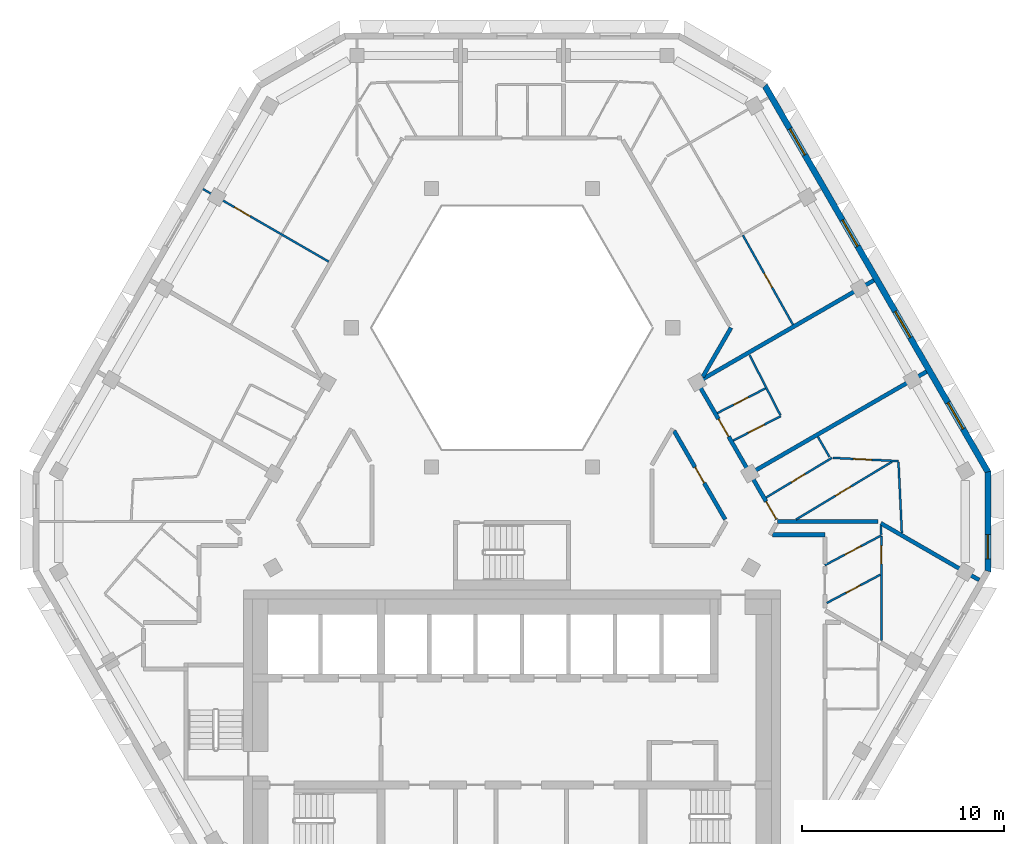
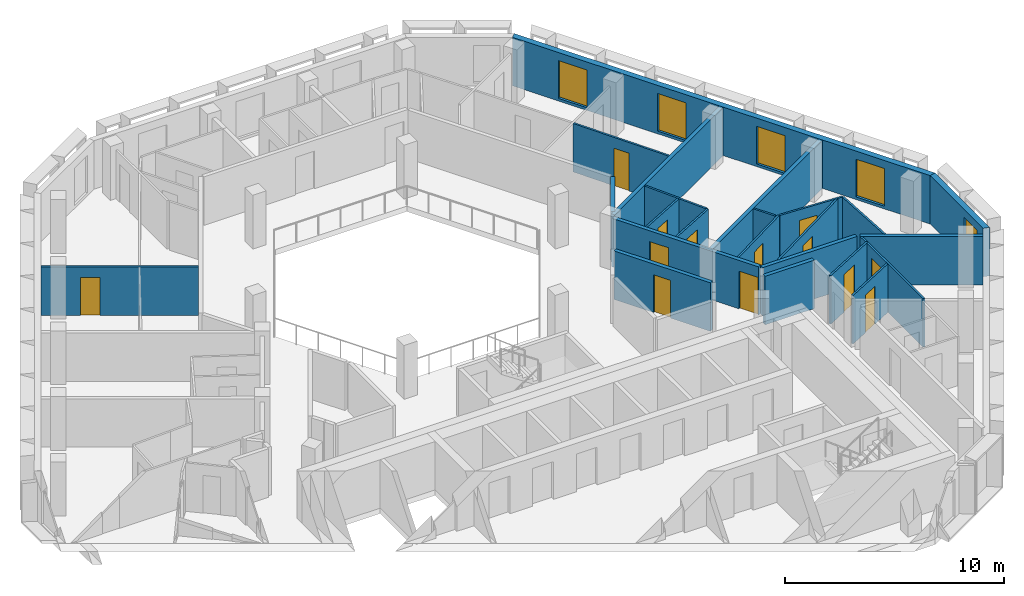
# One storey, part 6 of 15: 24 walls, 13 doors, 5 windows, 18 openings.
"""IFC4 building model written with IfcOpenShell, lengths in metres."""

from ifc_helpers import new_model, si_unit, direction, frame, frame_2d, origin, place, context, subcontext, project, spatial, polyline, rectangle, outline, extrude, material, layer, layer_set, type_object, element, fill, save


model = new_model("IFC4")

# Units and contexts
model_context = context("Model", 3, precision=1e-05, world=origin(), true_north=direction((0.0, 1.0)))
body_context = subcontext(model_context, "Body", "Model", "MODEL_VIEW")
ifc_project = project(units=[si_unit("LENGTHUNIT", "METRE"), si_unit("AREAUNIT", "SQUARE_METRE"), si_unit("VOLUMEUNIT", "CUBIC_METRE"), si_unit("PLANEANGLEUNIT", "RADIAN"), si_unit("MASSUNIT", "GRAM", prefix="KILO")], contexts=[model_context])

# Site, building, storey
site_placement = place(None, origin())
site = spatial("IfcSite", under=ifc_project, at=site_placement, CompositionType="ELEMENT")
building_placement = place(site_placement, origin())
building = spatial("IfcBuilding", under=site, at=building_placement, Name="Beryl Residences", CompositionType="ELEMENT")
storey_placement = place(building_placement, frame((0.0, 0.0, 217.800048828125)))
storey = spatial("IfcBuildingStorey", under=building, at=storey_placement, Name="L67", CompositionType="ELEMENT", Elevation=217.800048828125)

# Wall, opening, window
ifc_material_1 = material(Name="Composite metal panel with mineral wool insulation")
ifc_layer_1 = layer(ifc_material_1, 0.300048828125)
ifc_layer_set_1 = layer_set([ifc_layer_1], Name="ES1 pale metal composite panel wall 300 mm")
wall_type_1 = type_object("IfcWallType", Name="ES1 pale metal composite panel wall 300 mm", PredefinedType="SOLIDWALL", material=ifc_layer_set_1)
wall_1_placement = place(storey_placement, frame((23.5791015625, -4.10009765625, 0.0), z_axis=(0.0, 0.0, 1.0), x_axis=(0.0, 1.0, 0.0)))
wall_1 = element("IfcWall", 1, at=wall_1_placement, inside=storey, type_object=wall_type_1, Name="ES1 external wall L67 SE-NE", PredefinedType="SOLIDWALL", context=body_context, shape_type="SweptSolid", body=[
    extrude(outline(polyline([(0.0, -0.14990234375), (5.0, -0.14990234375), (4.919677734375, 0.14990234375), (0.080322265625, 0.14990234375), (0.0, -0.14990234375)])), origin(), (0.0, 0.0, 1.0), 2.699951171875),
])
opening_1_placement = place(wall_1_placement, frame((0.64990234375, 0.0, 0.14990234375)))
opening_1 = element("IfcOpeningElement", 2, at=opening_1_placement, cuts=wall_1, Name="Opening W2", PredefinedType="OPENING", context=body_context, shape_type="SweptSolid", body=[
    extrude(rectangle(XDim=1.199951171875, YDim=2.10009765625, at=frame_2d((0.60009765625, 1.050048828125))), frame((0.0, 0.159912109375, 0.0), z_axis=(0.0, -1.0, 0.0), x_axis=(1.0, 0.0, 0.0)), (0.0, 0.0, 1.0), 0.320068359375),
])
ifc_material_2 = material(Name="Aluminium and clear glass", Category="aluminium")
window_type_1 = type_object("IfcWindowType", Name="W2 chamfer window 1200 x 2100 mm", PartitioningType="SINGLE_PANEL", PredefinedType="WINDOW", material=ifc_material_2)
window_1_placement = place(opening_1_placement, origin())
window_1 = element("IfcWindow", 3, at=window_1_placement, inside=storey, type_object=window_type_1, Name="W2 window L67 SE-NE 1", OverallHeight=2.10009765625, OverallWidth=1.199951171875, PartitioningType="SINGLE_PANEL", PredefinedType="WINDOW", context=body_context, shape_type="SweptSolid", body=[
    extrude(rectangle(XDim=1.199951171875, YDim=2.10009765625, at=frame_2d((0.60009765625, 1.050048828125))), frame((0.0, 0.030029296875, 0.0), z_axis=(0.0, -1.0, 0.0), x_axis=(1.0, 0.0, 0.0)), (0.0, 0.0, 1.0), 0.06005859375),
])
fill(opening_1, window_1)

# Wall, openings, windows
wall_2_placement = place(storey_placement, frame((23.59912109375, 0.824951171875, 0.0), z_axis=(0.0, 0.0, 1.0), x_axis=(-0.500003656944, 0.866023292436, 0.0)))
wall_2 = element("IfcWall", 4, at=wall_2_placement, inside=storey, type_object=wall_type_1, Name="ES1 external wall L67 NE", PredefinedType="SOLIDWALL", context=body_context, shape_type="SweptSolid", body=[
    extrude(outline(polyline([(0.0, -0.14990234375), (22.170166015625, -0.14990234375), (22.08984375, 0.14990234375), (0.080322265625, 0.14990234375), (0.0, -0.14990234375)])), origin(), (0.0, 0.0, 1.0), 2.699951171875),
])
opening_2_placement = place(wall_2_placement, frame((2.4970703125, 0.0, 0.14990234375)))
opening_2 = element("IfcOpeningElement", 5, at=opening_2_placement, cuts=wall_2, Name="Opening W1", PredefinedType="OPENING", context=body_context, shape_type="SweptSolid", body=[
    extrude(rectangle(XDim=1.5, YDim=2.10009765625, at=frame_2d((0.75, 1.050048828125))), frame((0.0, 0.159912109375, 0.0), z_axis=(0.0, -1.0, 0.0), x_axis=(1.0, 0.0, 0.0)), (0.0, 0.0, 1.0), 0.320068359375),
])
opening_3_placement = place(wall_2_placement, frame((7.722900390625, 0.0, 0.14990234375)))
opening_3 = element("IfcOpeningElement", 6, at=opening_3_placement, cuts=wall_2, Name="Opening W1", PredefinedType="OPENING", context=body_context, shape_type="SweptSolid", body=[
    extrude(rectangle(XDim=1.5, YDim=2.10009765625, at=frame_2d((0.75, 1.050048828125))), frame((0.0, 0.159912109375, 0.0), z_axis=(0.0, -1.0, 0.0), x_axis=(1.0, 0.0, 0.0)), (0.0, 0.0, 1.0), 0.320068359375),
])
opening_4_placement = place(wall_2_placement, frame((12.947998046875, 0.0, 0.14990234375)))
opening_4 = element("IfcOpeningElement", 7, at=opening_4_placement, cuts=wall_2, Name="Opening W1", PredefinedType="OPENING", context=body_context, shape_type="SweptSolid", body=[
    extrude(rectangle(XDim=1.5, YDim=2.10009765625, at=frame_2d((0.75, 1.050048828125))), frame((0.0, 0.159912109375, 0.0), z_axis=(0.0, -1.0, 0.0), x_axis=(1.0, 0.0, 0.0)), (0.0, 0.0, 1.0), 0.320068359375),
])
opening_5_placement = place(wall_2_placement, frame((18.173095703125, 0.0, 0.14990234375)))
opening_5 = element("IfcOpeningElement", 8, at=opening_5_placement, cuts=wall_2, Name="Opening W1", PredefinedType="OPENING", context=body_context, shape_type="SweptSolid", body=[
    extrude(rectangle(XDim=1.5, YDim=2.10009765625, at=frame_2d((0.75, 1.050048828125))), frame((0.0, 0.159912109375, 0.0), z_axis=(0.0, -1.0, 0.0), x_axis=(1.0, 0.0, 0.0)), (0.0, 0.0, 1.0), 0.320068359375),
])
ifc_material_3 = material(Name="Aluminium and clear glass", Category="aluminium")
window_type_2 = type_object("IfcWindowType", Name="W1 cell window 1500 x 2100 mm", PartitioningType="SINGLE_PANEL", PredefinedType="WINDOW", material=ifc_material_3)
window_2_placement = place(opening_2_placement, origin())
window_2 = element("IfcWindow", 9, at=window_2_placement, inside=storey, type_object=window_type_2, Name="W1 window L67 NE 2", OverallHeight=2.10009765625, OverallWidth=1.5, PartitioningType="SINGLE_PANEL", PredefinedType="WINDOW", context=body_context, shape_type="SweptSolid", body=[
    extrude(rectangle(XDim=1.5, YDim=2.10009765625, at=frame_2d((0.75, 1.050048828125))), frame((0.0, 0.030029296875, 0.0), z_axis=(0.0, -1.0, 0.0), x_axis=(1.0, 0.0, 0.0)), (0.0, 0.0, 1.0), 0.06005859375),
])
fill(opening_2, window_2)
window_3_placement = place(opening_3_placement, origin())
window_3 = element("IfcWindow", 10, at=window_3_placement, inside=storey, type_object=window_type_2, Name="W1 window L67 NE 4", OverallHeight=2.10009765625, OverallWidth=1.5, PartitioningType="SINGLE_PANEL", PredefinedType="WINDOW", context=body_context, shape_type="SweptSolid", body=[
    extrude(rectangle(XDim=1.5, YDim=2.10009765625, at=frame_2d((0.75, 1.050048828125))), frame((0.0, 0.030029296875, 0.0), z_axis=(0.0, -1.0, 0.0), x_axis=(1.0, 0.0, 0.0)), (0.0, 0.0, 1.0), 0.06005859375),
])
fill(opening_3, window_3)
window_4_placement = place(opening_4_placement, origin())
window_4 = element("IfcWindow", 11, at=window_4_placement, inside=storey, type_object=window_type_2, Name="W1 window L67 NE 6", OverallHeight=2.10009765625, OverallWidth=1.5, PartitioningType="SINGLE_PANEL", PredefinedType="WINDOW", context=body_context, shape_type="SweptSolid", body=[
    extrude(rectangle(XDim=1.5, YDim=2.10009765625, at=frame_2d((0.75, 1.050048828125))), frame((0.0, 0.030029296875, 0.0), z_axis=(0.0, -1.0, 0.0), x_axis=(1.0, 0.0, 0.0)), (0.0, 0.0, 1.0), 0.06005859375),
])
fill(opening_4, window_4)
window_5_placement = place(opening_5_placement, origin())
window_5 = element("IfcWindow", 12, at=window_5_placement, inside=storey, type_object=window_type_2, Name="W1 window L67 NE 8", OverallHeight=2.10009765625, OverallWidth=1.5, PartitioningType="SINGLE_PANEL", PredefinedType="WINDOW", context=body_context, shape_type="SweptSolid", body=[
    extrude(rectangle(XDim=1.5, YDim=2.10009765625, at=frame_2d((0.75, 1.050048828125))), frame((0.0, 0.030029296875, 0.0), z_axis=(0.0, -1.0, 0.0), x_axis=(1.0, 0.0, 0.0)), (0.0, 0.0, 1.0), 0.06005859375),
])
fill(opening_5, window_5)

# Wall
ifc_material_4 = material(Name="Gypsum board partition on steel studs", Category="steel")
ifc_layer_2 = layer(ifc_material_4, 0.10009765625)
ifc_layer_set_2 = layer_set([ifc_layer_2], Name="PT1 partition 100 mm gypsum board on steel studs")
wall_type_2 = type_object("IfcWallType", Name="PT1 partition 100 mm gypsum board on steel studs", PredefinedType="PARTITIONING", material=ifc_layer_set_2)
wall_3_placement = place(storey_placement, frame((15.154052734375, 2.60107421875, 0.0), z_axis=(0.0, 0.0, 1.0), x_axis=(0.499808046739, -0.866136199691, 0.0)))
element("IfcWall", 13, at=wall_3_placement, inside=storey, type_object=wall_type_2, Name="Wall PT1 L67 005", PredefinedType="PARTITIONING", context=body_context, shape_type="SweptSolid", body=[
    extrude(rectangle(XDim=1.15234375, YDim=0.10009765625, at=frame_2d((0.576171875, 0.0))), origin(), (0.0, 0.0, 1.0), 2.699951171875),
])

# Wall, opening, door
wall_4_placement = place(storey_placement, frame((11.44091796875, 12.58203125, 0.0), z_axis=(0.0, 0.0, 1.0), x_axis=(0.488568218554, -0.872525699231, 0.0)))
wall_4 = element("IfcWall", 14, at=wall_4_placement, inside=storey, type_object=wall_type_2, Name="Wall PT1 L67 008", PredefinedType="PARTITIONING", context=body_context, shape_type="SweptSolid", body=[
    extrude(rectangle(XDim=5.075927734375, YDim=0.10009765625, at=frame_2d((2.5380859375, 0.0))), origin(), (0.0, 0.0, 1.0), 2.699951171875),
])
opening_6_placement = place(wall_4_placement, frame((2.1630859375, 0.0, 0.0)))
opening_6 = element("IfcOpeningElement", 15, at=opening_6_placement, cuts=wall_4, Name="Opening D2108", PredefinedType="OPENING", context=body_context, shape_type="SweptSolid", body=[
    extrude(rectangle(XDim=0.800048828125, YDim=2.10009765625, at=frame_2d((0.39990234375, 1.050048828125))), frame((0.0, 0.06005859375, 0.0), z_axis=(0.0, -1.0, 0.0), x_axis=(1.0, 0.0, 0.0)), (0.0, 0.0, 1.0), 0.1201171875),
])
ifc_material_5 = material(Name="Timber door leaf", Category="wood")
door_type_1 = type_object("IfcDoorType", Name="D3 bathroom door 800 x 2100 mm", OperationType="SINGLE_SWING_LEFT", PredefinedType="DOOR", material=ifc_material_5)
door_1_placement = place(opening_6_placement, origin())
door_1 = element("IfcDoor", 16, at=door_1_placement, inside=storey, type_object=door_type_1, Name="Door D2108 L67 001", OperationType="SINGLE_SWING_RIGHT", OverallHeight=2.10009765625, OverallWidth=0.800048828125, PredefinedType="DOOR", context=body_context, shape_type="SweptSolid", body=[
    extrude(rectangle(XDim=0.800048828125, YDim=2.10009765625, at=frame_2d((0.39990234375, 1.050048828125))), frame((0.0, 0.02490234375, 0.0), z_axis=(0.0, -1.0, 0.0), x_axis=(1.0, 0.0, 0.0)), (0.0, 0.0, 1.0), 0.050048828125),
])
fill(opening_6, door_1)

# Walls
wall_5_placement = place(storey_placement, frame((11.77197265625, 6.64599609375, 0.0), z_axis=(0.0, 0.0, 1.0), x_axis=(0.456175983405, -0.889889584254, 0.0)))
element("IfcWall", 17, at=wall_5_placement, inside=storey, type_object=wall_type_2, Name="Wall PT1 L67 011", PredefinedType="PARTITIONING", context=body_context, shape_type="SweptSolid", body=[
    extrude(rectangle(XDim=3.34765625, YDim=0.10009765625, at=frame_2d((1.673828125, 0.0))), origin(), (0.0, 0.0, 1.0), 2.699951171875),
])
wall_6_placement = place(storey_placement, frame((18.280029296875, -1.803955078125, 0.0), z_axis=(0.0, 0.0, 1.0), x_axis=(0.039839036731, -0.999206110446, 0.0)))
element("IfcWall", 18, at=wall_6_placement, inside=storey, type_object=wall_type_2, Name="Wall PT1 L67 012", PredefinedType="PARTITIONING", context=body_context, shape_type="SweptSolid", body=[
    extrude(rectangle(XDim=0.453369140625, YDim=0.10009765625, at=frame_2d((0.2265625, 0.0))), origin(), (0.0, 0.0, 1.0), 2.699951171875),
])
wall_7_placement = place(storey_placement, frame((19.15087890625, 1.343017578125, 0.0), z_axis=(0.0, 0.0, 1.0), x_axis=(0.047509130714, -0.998870803707, 0.0)))
element("IfcWall", 19, at=wall_7_placement, inside=storey, type_object=wall_type_2, Name="Wall PT1 L67 013", PredefinedType="PARTITIONING", context=body_context, shape_type="SweptSolid", body=[
    extrude(rectangle(XDim=3.52001953125, YDim=0.10009765625, at=frame_2d((1.760009765625, 0.0))), origin(), (0.0, 0.0, 1.0), 2.699951171875),
])

# Wall, opening, door
wall_8_placement = place(storey_placement, frame((15.908935546875, 1.552001953125, 0.0), z_axis=(0.0, 0.0, 1.0), x_axis=(0.998799003463, -0.048995414909, 0.0)))
wall_8 = element("IfcWall", 20, at=wall_8_placement, inside=storey, type_object=wall_type_2, Name="Wall PT1 L67 017", PredefinedType="PARTITIONING", context=body_context, shape_type="SweptSolid", body=[
    extrude(rectangle(XDim=3.243896484375, YDim=0.10009765625, at=frame_2d((1.6220703125, 0.0))), origin(), (0.0, 0.0, 1.0), 2.699951171875),
])
opening_7_placement = place(wall_8_placement, frame((1.012939453125, 0.0, 0.0)))
opening_7 = element("IfcOpeningElement", 21, at=opening_7_placement, cuts=wall_8, Name="Opening D2140", PredefinedType="OPENING", context=body_context, shape_type="SweptSolid", body=[
    extrude(rectangle(XDim=0.89990234375, YDim=2.10009765625, at=frame_2d((0.449951171875, 1.050048828125))), frame((0.0, 0.06005859375, 0.0), z_axis=(0.0, -1.0, 0.0), x_axis=(1.0, 0.0, 0.0)), (0.0, 0.0, 1.0), 0.1201171875),
])
ifc_material_6 = material(Name="Timber door leaf", Category="wood")
door_type_2 = type_object("IfcDoorType", Name="D2 room door 900 x 2100 mm", OperationType="SINGLE_SWING_LEFT", PredefinedType="DOOR", material=ifc_material_6)
door_2_placement = place(opening_7_placement, origin())
door_2 = element("IfcDoor", 22, at=door_2_placement, inside=storey, type_object=door_type_2, Name="Door D2140 L67 001", OperationType="SINGLE_SWING_RIGHT", OverallHeight=2.10009765625, OverallWidth=0.89990234375, PredefinedType="DOOR", context=body_context, shape_type="SweptSolid", body=[
    extrude(rectangle(XDim=0.89990234375, YDim=2.10009765625, at=frame_2d((0.449951171875, 1.050048828125))), frame((0.0, 0.02490234375, 0.0), z_axis=(0.0, -1.0, 0.0), x_axis=(1.0, 0.0, 0.0)), (0.0, 0.0, 1.0), 0.050048828125),
])
fill(opening_7, door_2)

wall_9_placement = place(storey_placement, frame((-15.31396484375, 14.875, 0.0), z_axis=(0.0, 0.0, 1.0), x_axis=(0.866001485781, -0.500041424909, 0.0)))
wall_9 = element("IfcWall", 23, at=wall_9_placement, inside=storey, type_object=wall_type_2, Name="Wall PT1 L67 018", PredefinedType="PARTITIONING", context=body_context, shape_type="SweptSolid", body=[
    extrude(rectangle(XDim=7.19970703125, YDim=0.10009765625, at=frame_2d((3.599853515625, 0.0))), origin(), (0.0, 0.0, 1.0), 2.699951171875),
])
opening_8_placement = place(wall_9_placement, frame((1.800048828125, 0.0, 0.0)))
opening_8 = element("IfcOpeningElement", 24, at=opening_8_placement, cuts=wall_9, Name="Opening D2117", PredefinedType="OPENING", context=body_context, shape_type="SweptSolid", body=[
    extrude(rectangle(XDim=0.89990234375, YDim=2.10009765625, at=frame_2d((0.449951171875, 1.050048828125))), frame((0.0, 0.06005859375, 0.0), z_axis=(0.0, -1.0, 0.0), x_axis=(1.0, 0.0, 0.0)), (0.0, 0.0, 1.0), 0.1201171875),
])
door_3_placement = place(opening_8_placement, origin())
door_3 = element("IfcDoor", 25, at=door_3_placement, inside=storey, type_object=door_type_2, Name="Door D2117 L67 001", OperationType="SINGLE_SWING_LEFT", OverallHeight=2.10009765625, OverallWidth=0.89990234375, PredefinedType="DOOR", context=body_context, shape_type="SweptSolid", body=[
    extrude(rectangle(XDim=0.89990234375, YDim=2.10009765625, at=frame_2d((0.449951171875, 1.050048828125))), frame((0.0, 0.02490234375, 0.0), z_axis=(0.0, -1.0, 0.0), x_axis=(1.0, 0.0, 0.0)), (0.0, 0.0, 1.0), 0.050048828125),
])
fill(opening_8, door_3)

wall_10_placement = place(storey_placement, frame((18.300048828125, -7.49609375, 0.0), z_axis=(0.0, 0.0, 1.0), x_axis=(0.0, 1.0, 0.0)))
wall_10 = element("IfcWall", 26, at=wall_10_placement, inside=storey, type_object=wall_type_2, Name="Wall PT1 L67 038", PredefinedType="PARTITIONING", context=body_context, shape_type="SweptSolid", body=[
    extrude(rectangle(XDim=5.170166015625, YDim=0.10009765625, at=frame_2d((2.5849609375, 0.0))), origin(), (0.0, 0.0, 1.0), 2.699951171875),
])
opening_9_placement = place(wall_10_placement, frame((3.7939453125, 0.0, 0.0)))
opening_9 = element("IfcOpeningElement", 27, at=opening_9_placement, cuts=wall_10, Name="Opening D2136", PredefinedType="OPENING", context=body_context, shape_type="SweptSolid", body=[
    extrude(rectangle(XDim=0.89990234375, YDim=2.10009765625, at=frame_2d((0.449951171875, 1.050048828125))), frame((0.0, 0.06005859375, 0.0), z_axis=(0.0, -1.0, 0.0), x_axis=(1.0, 0.0, 0.0)), (0.0, 0.0, 1.0), 0.1201171875),
])
door_4_placement = place(opening_9_placement, origin())
door_4 = element("IfcDoor", 28, at=door_4_placement, inside=storey, type_object=door_type_2, Name="Door D2136 L67 001", OperationType="SINGLE_SWING_RIGHT", OverallHeight=2.10009765625, OverallWidth=0.89990234375, PredefinedType="DOOR", context=body_context, shape_type="SweptSolid", body=[
    extrude(rectangle(XDim=0.89990234375, YDim=2.10009765625, at=frame_2d((0.449951171875, 1.050048828125))), frame((0.0, 0.02490234375, 0.0), z_axis=(0.0, -1.0, 0.0), x_axis=(1.0, 0.0, 0.0)), (0.0, 0.0, 1.0), 0.050048828125),
])
fill(opening_9, door_4)

wall_11_placement = place(storey_placement, frame((10.177978515625, 3.77197265625, 0.0), z_axis=(0.0, 0.0, 1.0), x_axis=(0.889732071959, 0.456483121405, 0.0)))
wall_11 = element("IfcWall", 29, at=wall_11_placement, inside=storey, type_object=wall_type_2, Name="Wall PT1 L67 042", PredefinedType="PARTITIONING", context=body_context, shape_type="SweptSolid", body=[
    extrude(rectangle(XDim=2.679443359375, YDim=0.10009765625, at=frame_2d((1.33984375, 0.0))), origin(), (0.0, 0.0, 1.0), 2.699951171875),
])
opening_10_placement = place(wall_11_placement, frame((0.9150390625, 0.0, 0.0)))
opening_10 = element("IfcOpeningElement", 30, at=opening_10_placement, cuts=wall_11, Name="Opening D2143", PredefinedType="OPENING", context=body_context, shape_type="SweptSolid", body=[
    extrude(rectangle(XDim=0.800048828125, YDim=2.10009765625, at=frame_2d((0.39990234375, 1.050048828125))), frame((0.0, 0.06005859375, 0.0), z_axis=(0.0, -1.0, 0.0), x_axis=(1.0, 0.0, 0.0)), (0.0, 0.0, 1.0), 0.1201171875),
])
door_5_placement = place(opening_10_placement, origin())
door_5 = element("IfcDoor", 31, at=door_5_placement, inside=storey, type_object=door_type_1, Name="Door D2143 L67 001", OperationType="SINGLE_SWING_LEFT", OverallHeight=2.10009765625, OverallWidth=0.800048828125, PredefinedType="DOOR", context=body_context, shape_type="SweptSolid", body=[
    extrude(rectangle(XDim=0.800048828125, YDim=2.10009765625, at=frame_2d((0.39990234375, 1.050048828125))), frame((0.0, 0.02490234375, 0.0), z_axis=(0.0, -1.0, 0.0), x_axis=(1.0, 0.0, 0.0)), (0.0, 0.0, 1.0), 0.050048828125),
])
fill(opening_10, door_5)

wall_12_placement = place(storey_placement, frame((10.962890625, 2.412109375, 0.0), z_axis=(0.0, 0.0, 1.0), x_axis=(0.889943997558, 0.456069820543, 0.0)))
wall_12 = element("IfcWall", 32, at=wall_12_placement, inside=storey, type_object=wall_type_2, Name="Wall PT1 L67 043", PredefinedType="PARTITIONING", context=body_context, shape_type="SweptSolid", body=[
    extrude(rectangle(XDim=2.65087890625, YDim=0.10009765625, at=frame_2d((1.325439453125, 0.0))), origin(), (0.0, 0.0, 1.0), 2.699951171875),
])
opening_11_placement = place(wall_12_placement, frame((0.825927734375, 0.0, 0.0)))
opening_11 = element("IfcOpeningElement", 33, at=opening_11_placement, cuts=wall_12, Name="Opening D2142", PredefinedType="OPENING", context=body_context, shape_type="SweptSolid", body=[
    extrude(rectangle(XDim=0.89990234375, YDim=2.10009765625, at=frame_2d((0.449951171875, 1.050048828125))), frame((0.0, 0.06005859375, 0.0), z_axis=(0.0, -1.0, 0.0), x_axis=(1.0, 0.0, 0.0)), (0.0, 0.0, 1.0), 0.1201171875),
])
door_6_placement = place(opening_11_placement, origin())
door_6 = element("IfcDoor", 34, at=door_6_placement, inside=storey, type_object=door_type_2, Name="Door D2142 L67 001", OperationType="SINGLE_SWING_RIGHT", OverallHeight=2.10009765625, OverallWidth=0.89990234375, PredefinedType="DOOR", context=body_context, shape_type="SweptSolid", body=[
    extrude(rectangle(XDim=0.89990234375, YDim=2.10009765625, at=frame_2d((0.449951171875, 1.050048828125))), frame((0.0, 0.02490234375, 0.0), z_axis=(0.0, -1.0, 0.0), x_axis=(1.0, 0.0, 0.0)), (0.0, 0.0, 1.0), 0.050048828125),
])
fill(opening_11, door_6)

wall_13_placement = place(storey_placement, frame((15.5, -3.76708984375, 0.0), z_axis=(0.0, 0.0, 1.0), x_axis=(0.884482889541, 0.466572628976, 0.0)))
wall_13 = element("IfcWall", 35, at=wall_13_placement, inside=storey, type_object=wall_type_2, Name="Wall PT1 L67 044", PredefinedType="PARTITIONING", context=body_context, shape_type="SweptSolid", body=[
    extrude(rectangle(XDim=3.165771484375, YDim=0.10009765625, at=frame_2d((1.5830078125, 0.0))), origin(), (0.0, 0.0, 1.0), 2.699951171875),
])
opening_12_placement = place(wall_13_placement, frame((1.133056640625, 0.0, 0.0)))
opening_12 = element("IfcOpeningElement", 36, at=opening_12_placement, cuts=wall_13, Name="Opening D2135", PredefinedType="OPENING", context=body_context, shape_type="SweptSolid", body=[
    extrude(rectangle(XDim=0.89990234375, YDim=2.10009765625, at=frame_2d((0.449951171875, 1.050048828125))), frame((0.0, 0.06005859375, 0.0), z_axis=(0.0, -1.0, 0.0), x_axis=(1.0, 0.0, 0.0)), (0.0, 0.0, 1.0), 0.1201171875),
])
door_7_placement = place(opening_12_placement, origin())
door_7 = element("IfcDoor", 37, at=door_7_placement, inside=storey, type_object=door_type_2, Name="Door D2135 L67 001", OperationType="SINGLE_SWING_LEFT", OverallHeight=2.10009765625, OverallWidth=0.89990234375, PredefinedType="DOOR", context=body_context, shape_type="SweptSolid", body=[
    extrude(rectangle(XDim=0.89990234375, YDim=2.10009765625, at=frame_2d((0.449951171875, 1.050048828125))), frame((0.0, 0.02490234375, 0.0), z_axis=(0.0, -1.0, 0.0), x_axis=(1.0, 0.0, 0.0)), (0.0, 0.0, 1.0), 0.050048828125),
])
fill(opening_12, door_7)

wall_14_placement = place(storey_placement, frame((15.60009765625, -5.635986328125, 0.0), z_axis=(0.0, 0.0, 1.0), x_axis=(0.884468832747, 0.466599275503, 0.0)))
wall_14 = element("IfcWall", 38, at=wall_14_placement, inside=storey, type_object=wall_type_2, Name="Wall PT1 L67 045", PredefinedType="PARTITIONING", context=body_context, shape_type="SweptSolid", body=[
    extrude(rectangle(XDim=2.99609375, YDim=0.10009765625, at=frame_2d((1.498046875, 0.0))), origin(), (0.0, 0.0, 1.0), 2.699951171875),
])
opening_13_placement = place(wall_14_placement, frame((1.070068359375, 0.0, 0.0)))
opening_13 = element("IfcOpeningElement", 39, at=opening_13_placement, cuts=wall_14, Name="Opening D2134", PredefinedType="OPENING", context=body_context, shape_type="SweptSolid", body=[
    extrude(rectangle(XDim=0.800048828125, YDim=2.10009765625, at=frame_2d((0.39990234375, 1.050048828125))), frame((0.0, 0.06005859375, 0.0), z_axis=(0.0, -1.0, 0.0), x_axis=(1.0, 0.0, 0.0)), (0.0, 0.0, 1.0), 0.1201171875),
])
door_8_placement = place(opening_13_placement, origin())
door_8 = element("IfcDoor", 40, at=door_8_placement, inside=storey, type_object=door_type_1, Name="Door D2134 L67 001", OperationType="SINGLE_SWING_RIGHT", OverallHeight=2.10009765625, OverallWidth=0.800048828125, PredefinedType="DOOR", context=body_context, shape_type="SweptSolid", body=[
    extrude(rectangle(XDim=0.800048828125, YDim=2.10009765625, at=frame_2d((0.39990234375, 1.050048828125))), frame((0.0, 0.02490234375, 0.0), z_axis=(0.0, -1.0, 0.0), x_axis=(1.0, 0.0, 0.0)), (0.0, 0.0, 1.0), 0.050048828125),
])
fill(opening_13, door_8)

wall_15_placement = place(storey_placement, frame((12.593017578125, -0.410888671875, 0.0), z_axis=(0.0, 0.0, 1.0), x_axis=(0.856558445359, 0.516050026339, 0.0)))
wall_15 = element("IfcWall", 41, at=wall_15_placement, inside=storey, type_object=wall_type_2, Name="Wall PT1 L67 051", PredefinedType="PARTITIONING", context=body_context, shape_type="SweptSolid", body=[
    extrude(rectangle(XDim=3.809326171875, YDim=0.10009765625, at=frame_2d((1.90478515625, 0.0))), origin(), (0.0, 0.0, 1.0), 2.699951171875),
])
opening_14_placement = place(wall_15_placement, frame((1.455078125, 0.0, 0.0)))
opening_14 = element("IfcOpeningElement", 42, at=opening_14_placement, cuts=wall_15, Name="Opening D2139", PredefinedType="OPENING", context=body_context, shape_type="SweptSolid", body=[
    extrude(rectangle(XDim=0.800048828125, YDim=2.10009765625, at=frame_2d((0.39990234375, 1.050048828125))), frame((0.0, 0.06005859375, 0.0), z_axis=(0.0, -1.0, 0.0), x_axis=(1.0, 0.0, 0.0)), (0.0, 0.0, 1.0), 0.1201171875),
])
door_9_placement = place(opening_14_placement, origin())
door_9 = element("IfcDoor", 43, at=door_9_placement, inside=storey, type_object=door_type_1, Name="Door D2139 L67 001", OperationType="SINGLE_SWING_LEFT", OverallHeight=2.10009765625, OverallWidth=0.800048828125, PredefinedType="DOOR", context=body_context, shape_type="SweptSolid", body=[
    extrude(rectangle(XDim=0.800048828125, YDim=2.10009765625, at=frame_2d((0.39990234375, 1.050048828125))), frame((0.0, 0.02490234375, 0.0), z_axis=(0.0, -1.0, 0.0), x_axis=(1.0, 0.0, 0.0)), (0.0, 0.0, 1.0), 0.050048828125),
])
fill(opening_14, door_9)

wall_16_placement = place(storey_placement, frame((14.0810546875, -1.4990234375, 0.0), z_axis=(0.0, 0.0, 1.0), x_axis=(0.85652273816, 0.516109289798, 0.0)))
wall_16 = element("IfcWall", 44, at=wall_16_placement, inside=storey, type_object=wall_type_2, Name="Wall PT1 L67 052", PredefinedType="PARTITIONING", context=body_context, shape_type="SweptSolid", body=[
    extrude(rectangle(XDim=5.537353515625, YDim=0.10009765625, at=frame_2d((2.7685546875, 0.0))), origin(), (0.0, 0.0, 1.0), 2.699951171875),
])
opening_15_placement = place(wall_16_placement, frame((2.26708984375, 0.0, 0.0)))
opening_15 = element("IfcOpeningElement", 45, at=opening_15_placement, cuts=wall_16, Name="Opening D2138", PredefinedType="OPENING", context=body_context, shape_type="SweptSolid", body=[
    extrude(rectangle(XDim=0.89990234375, YDim=2.10009765625, at=frame_2d((0.449951171875, 1.050048828125))), frame((0.0, 0.06005859375, 0.0), z_axis=(0.0, -1.0, 0.0), x_axis=(1.0, 0.0, 0.0)), (0.0, 0.0, 1.0), 0.1201171875),
])
door_10_placement = place(opening_15_placement, origin())
door_10 = element("IfcDoor", 46, at=door_10_placement, inside=storey, type_object=door_type_2, Name="Door D2138 L67 001", OperationType="SINGLE_SWING_RIGHT", OverallHeight=2.10009765625, OverallWidth=0.89990234375, PredefinedType="DOOR", context=body_context, shape_type="SweptSolid", body=[
    extrude(rectangle(XDim=0.89990234375, YDim=2.10009765625, at=frame_2d((0.449951171875, 1.050048828125))), frame((0.0, 0.02490234375, 0.0), z_axis=(0.0, -1.0, 0.0), x_axis=(1.0, 0.0, 0.0)), (0.0, 0.0, 1.0), 0.050048828125),
])
fill(opening_15, door_10)

# Walls
ifc_material_7 = material(Name="Acoustic double stud gypsum board wall")
ifc_layer_3 = layer(ifc_material_7, 0.199951171875)
ifc_layer_set_3 = layer_set([ifc_layer_3], Name="PT3 party wall 200 mm acoustic double stud")
wall_type_3 = type_object("IfcWallType", Name="PT3 party wall 200 mm acoustic double stud", PredefinedType="PARTITIONING", material=ifc_layer_set_3)
wall_17_placement = place(storey_placement, frame((18.27490234375, -1.68603515625, 0.0), z_axis=(0.0, 0.0, 1.0), x_axis=(0.866041167766, -0.49997269499, 0.0)))
element("IfcWall", 47, at=wall_17_placement, inside=storey, type_object=wall_type_3, Name="Wall PT3 L67 006", PredefinedType="PARTITIONING", context=body_context, shape_type="SweptSolid", body=[
    extrude(rectangle(XDim=5.630126953125, YDim=0.199951171875, at=frame_2d((2.81494140625, 0.0))), origin(), (0.0, 0.0, 1.0), 2.699951171875),
])
wall_18_placement = place(storey_placement, frame((13.1630859375, -1.59912109375, 0.0), z_axis=(0.0, 0.0, 1.0), x_axis=(1.0, 0.0, 0.0)))
element("IfcWall", 48, at=wall_18_placement, inside=storey, type_object=wall_type_3, Name="Wall PT3 L67 012", PredefinedType="PARTITIONING", context=body_context, shape_type="SweptSolid", body=[
    extrude(rectangle(XDim=4.9619140625, YDim=0.199951171875, at=frame_2d((2.48095703125, 0.0))), origin(), (0.0, 0.0, 1.0), 2.699951171875),
])
wall_19_placement = place(storey_placement, frame((11.87890625, 0.825927734375, 0.0), z_axis=(0.0, 0.0, 1.0), x_axis=(0.866065245018, 0.499930986609, 0.0)))
element("IfcWall", 49, at=wall_19_placement, inside=storey, type_object=wall_type_3, Name="Wall PT3 L67 016", PredefinedType="PARTITIONING", context=body_context, shape_type="SweptSolid", body=[
    extrude(rectangle(XDim=9.99951171875, YDim=0.199951171875, at=frame_2d((4.999755859375, 0.0))), origin(), (0.0, 0.0, 1.0), 2.699951171875),
])
wall_20_placement = place(storey_placement, frame((9.35400390625, 5.40087890625, 0.0), z_axis=(0.0, 0.0, 1.0), x_axis=(0.866018411306, 0.500012111133, 0.0)))
element("IfcWall", 50, at=wall_20_placement, inside=storey, type_object=wall_type_3, Name="Wall PT3 L67 017", PredefinedType="PARTITIONING", context=body_context, shape_type="SweptSolid", body=[
    extrude(rectangle(XDim=9.898193359375, YDim=0.199951171875, at=frame_2d((4.94921875, 0.0))), origin(), (0.0, 0.0, 1.0), 2.699951171875),
])

# Wall, opening, door
ifc_material_8 = material(Name="Double stud gypsum board wall")
ifc_layer_4 = layer(ifc_material_8, 0.199951171875)
ifc_layer_set_4 = layer_set([ifc_layer_4], Name="PT4 corridor wall 200 mm double stud")
wall_type_4 = type_object("IfcWallType", Name="PT4 corridor wall 200 mm double stud", PredefinedType="PARTITIONING", material=ifc_layer_set_4)
wall_21_placement = place(storey_placement, frame((8.02587890625, 2.89892578125, 0.0), z_axis=(0.0, 0.0, 1.0), x_axis=(0.499986018985, -0.866033475577, 0.0)))
wall_21 = element("IfcWall", 51, at=wall_21_placement, inside=storey, type_object=wall_type_4, Name="Wall PT4 L67 005", PredefinedType="PARTITIONING", context=body_context, shape_type="SweptSolid", body=[
    extrude(rectangle(XDim=5.078369140625, YDim=0.199951171875, at=frame_2d((2.5390625, 0.0))), origin(), (0.0, 0.0, 1.0), 2.699951171875),
])
opening_16_placement = place(wall_21_placement, frame((2.089111328125, 0.0, 0.0)))
opening_16 = element("IfcOpeningElement", 52, at=opening_16_placement, cuts=wall_21, Name="Opening D2145", PredefinedType="OPENING", context=body_context, shape_type="SweptSolid", body=[
    extrude(rectangle(XDim=0.89990234375, YDim=2.10009765625, at=frame_2d((0.449951171875, 1.050048828125))), frame((0.0, 0.10986328125, 0.0), z_axis=(0.0, -1.0, 0.0), x_axis=(1.0, 0.0, 0.0)), (0.0, 0.0, 1.0), 0.219970703125),
])
door_11_placement = place(opening_16_placement, origin())
door_11 = element("IfcDoor", 53, at=door_11_placement, inside=storey, type_object=door_type_2, Name="Door D2145 L67 001", OperationType="SINGLE_SWING_LEFT", OverallHeight=2.10009765625, OverallWidth=0.89990234375, PredefinedType="DOOR", context=body_context, shape_type="SweptSolid", body=[
    extrude(rectangle(XDim=0.89990234375, YDim=2.10009765625, at=frame_2d((0.449951171875, 1.050048828125))), frame((0.0, 0.02490234375, 0.0), z_axis=(0.0, -1.0, 0.0), x_axis=(1.0, 0.0, 0.0)), (0.0, 0.0, 1.0), 0.050048828125),
])
fill(opening_16, door_11)

# Wall, openings, doors
wall_22_placement = place(storey_placement, frame((9.238037109375, 5.199951171875, 0.0), z_axis=(0.0, 0.0, 1.0), x_axis=(0.500025705601, -0.86601056214, 0.0)))
wall_22 = element("IfcWall", 54, at=wall_22_placement, inside=storey, type_object=wall_type_4, Name="Wall PT4 L67 006", PredefinedType="PARTITIONING", context=body_context, shape_type="SweptSolid", body=[
    extrude(rectangle(XDim=7.7353515625, YDim=0.199951171875, at=frame_2d((3.86767578125, 0.0))), origin(), (0.0, 0.0, 1.0), 2.699951171875),
])
opening_17_placement = place(wall_22_placement, frame((6.705078125, 0.0, 0.0)))
opening_17 = element("IfcOpeningElement", 55, at=opening_17_placement, cuts=wall_22, Name="Opening D2137", PredefinedType="OPENING", context=body_context, shape_type="SweptSolid", body=[
    extrude(rectangle(XDim=1.0, YDim=2.10009765625, at=frame_2d((0.5, 1.050048828125))), frame((0.0, 0.10986328125, 0.0), z_axis=(0.0, -1.0, 0.0), x_axis=(1.0, 0.0, 0.0)), (0.0, 0.0, 1.0), 0.219970703125),
])
opening_18_placement = place(wall_22_placement, frame((1.988037109375, 0.0, 0.0)))
opening_18 = element("IfcOpeningElement", 56, at=opening_18_placement, cuts=wall_22, Name="Opening D2141", PredefinedType="OPENING", context=body_context, shape_type="SweptSolid", body=[
    extrude(rectangle(XDim=1.0, YDim=2.10009765625, at=frame_2d((0.5, 1.050048828125))), frame((0.0, 0.10986328125, 0.0), z_axis=(0.0, -1.0, 0.0), x_axis=(1.0, 0.0, 0.0)), (0.0, 0.0, 1.0), 0.219970703125),
])
ifc_material_9 = material(Name="Timber door leaf", Category="wood")
door_type_3 = type_object("IfcDoorType", Name="D1 flat entrance door 1000 x 2100 mm", OperationType="SINGLE_SWING_LEFT", PredefinedType="DOOR", material=ifc_material_9)
door_12_placement = place(opening_17_placement, origin())
door_12 = element("IfcDoor", 57, at=door_12_placement, inside=storey, type_object=door_type_3, Name="Door D2137 L67 001", OperationType="SINGLE_SWING_LEFT", OverallHeight=2.10009765625, OverallWidth=1.0, PredefinedType="DOOR", context=body_context, shape_type="SweptSolid", body=[
    extrude(rectangle(XDim=1.0, YDim=2.10009765625, at=frame_2d((0.5, 1.050048828125))), frame((0.0, 0.02490234375, 0.0), z_axis=(0.0, -1.0, 0.0), x_axis=(1.0, 0.0, 0.0)), (0.0, 0.0, 1.0), 0.050048828125),
])
fill(opening_17, door_12)
door_13_placement = place(opening_18_placement, origin())
door_13 = element("IfcDoor", 58, at=door_13_placement, inside=storey, type_object=door_type_3, Name="Door D2141 L67 001", OperationType="SINGLE_SWING_LEFT", OverallHeight=2.10009765625, OverallWidth=1.0, PredefinedType="DOOR", context=body_context, shape_type="SweptSolid", body=[
    extrude(rectangle(XDim=1.0, YDim=2.10009765625, at=frame_2d((0.5, 1.050048828125))), frame((0.0, 0.02490234375, 0.0), z_axis=(0.0, -1.0, 0.0), x_axis=(1.0, 0.0, 0.0)), (0.0, 0.0, 1.0), 0.050048828125),
])
fill(opening_18, door_13)

# Walls
wall_23_placement = place(storey_placement, frame((12.902099609375, -2.256103515625, 0.0), z_axis=(0.0, 0.0, 1.0), x_axis=(1.0, 0.0, 0.0)))
element("IfcWall", 59, at=wall_23_placement, inside=storey, type_object=wall_type_4, Name="Wall PT4 L67 013", PredefinedType="PARTITIONING", context=body_context, shape_type="SweptSolid", body=[
    extrude(rectangle(XDim=2.597900390625, YDim=0.199951171875, at=frame_2d((1.298828125, 0.0))), origin(), (0.0, 0.0, 1.0), 2.699951171875),
])
wall_24_placement = place(storey_placement, frame((9.4541015625, 5.573974609375, 0.0), z_axis=(0.0, 0.0, 1.0), x_axis=(0.499795394297, 0.86614350072, 0.0)))
element("IfcWall", 60, at=wall_24_placement, inside=storey, type_object=wall_type_4, Name="Wall PT4 L67 019", PredefinedType="PARTITIONING", context=body_context, shape_type="SweptSolid", body=[
    extrude(rectangle(XDim=2.801025390625, YDim=0.199951171875, at=frame_2d((1.400390625, 0.0))), origin(), (0.0, 0.0, 1.0), 2.699951171875),
])

save(model, "model.ifc")
